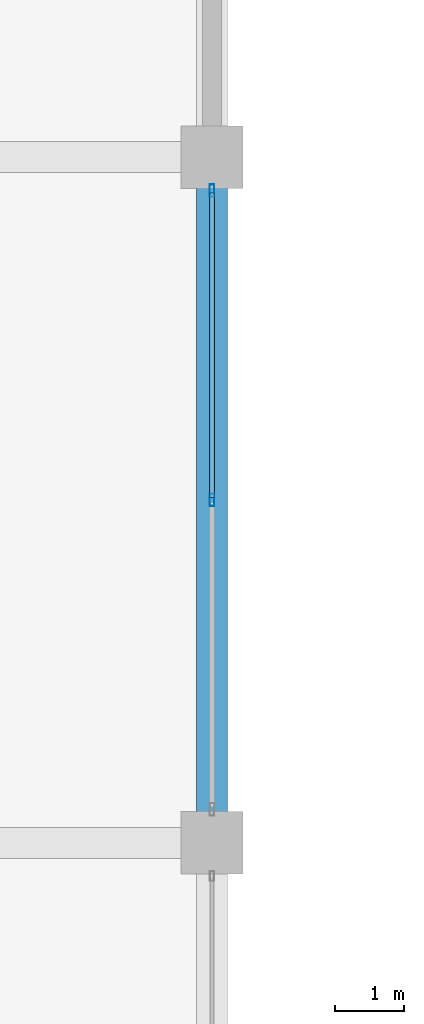
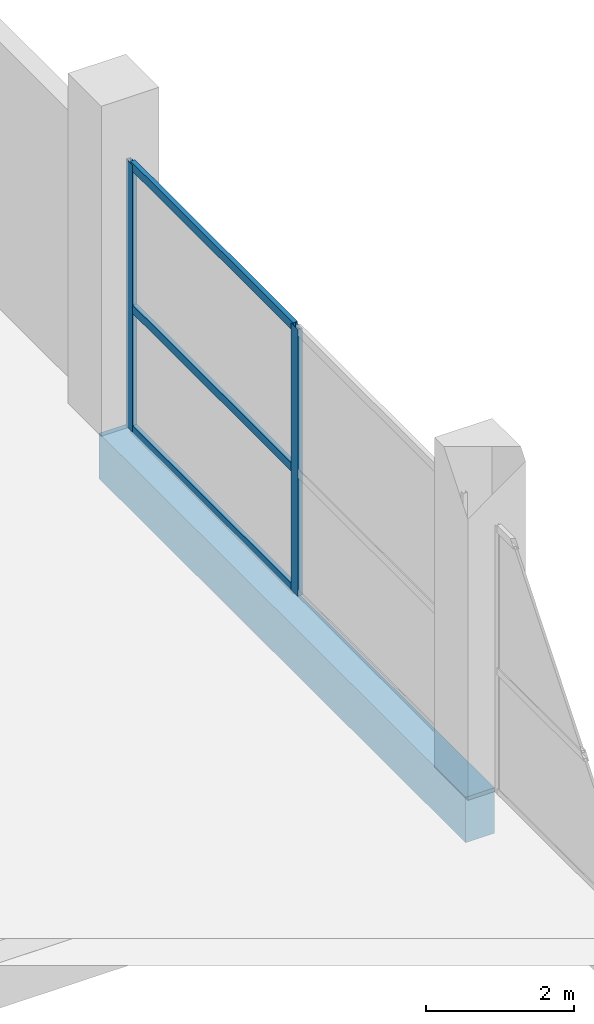
# One storey, part 16 of 50: 5 members, 1 beam, 1 element without a shape of its own.
"""IFC4 building model written with IfcOpenShell, lengths in metres."""

from ifc_helpers import new_model, si_unit, direction, frame, origin, origin_2d, place, context, subcontext, project, spatial, rectangle, hollow_rectangle, extrude, material, layer, layer_set, material_profile, profile_set, type_object, element, aggregate, save


model = new_model("IFC4")

# Units and contexts
model_context = context("Model", 3, precision=1e-05, world=origin(), true_north=direction((0.0, 1.0)))
body_context = subcontext(model_context, "Body", "Model", "MODEL_VIEW")
ifc_project = project(units=[si_unit("LENGTHUNIT", "METRE"), si_unit("AREAUNIT", "SQUARE_METRE"), si_unit("VOLUMEUNIT", "CUBIC_METRE"), si_unit("PLANEANGLEUNIT", "RADIAN"), si_unit("MASSUNIT", "GRAM", prefix="KILO")], contexts=[model_context])

# Site, building, storey
site_placement = place(None, origin())
site = spatial("IfcSite", under=ifc_project, at=site_placement, CompositionType="ELEMENT")
building_placement = place(site_placement, origin())
building = spatial("IfcBuilding", under=site, at=building_placement, Name="Sillaruma Civic Art Gallery", CompositionType="ELEMENT")
storey_placement = place(building_placement, origin())
storey = spatial("IfcBuildingStorey", under=building, at=storey_placement, Name="L00", CompositionType="ELEMENT", Elevation=0.0)

# Beam
ifc_material_1 = material(Name="Concrete H40 (40 MPa)", Category="concrete")
ifc_material_profile_1 = material_profile(ifc_material_1, rectangle(XDim=0.449951171875, YDim=0.75, at=origin_2d()), Name="RCB450x750")
ifc_profile_set_1 = profile_set([ifc_material_profile_1], Name="Concrete H40 (40 MPa)")
beam_type = type_object("IfcBeamType", Name="BM-BEAM-RCB450x750", PredefinedType="BEAM", material=ifc_profile_set_1)
beam_placement = place(storey_placement, frame((114.39990234375, 69.300048828125, -0.675048828125), z_axis=(0.0, 1.0, 0.0), x_axis=(-1.0, 0.0, 0.0)))
element("IfcBeam", 1, at=beam_placement, inside=storey, type_object=beam_type, Name="Beam BM-03 (B01:N:8-9)", PredefinedType="BEAM", context=body_context, shape_type="SweptSolid", body=[
    extrude(rectangle(XDim=0.449951171875, YDim=0.75, at=origin_2d()), origin(), (0.0, 0.0, 1.0), 9.89990234375),
])

# Curtain wall, members
ifc_material_2 = material(Name="Thermally Broken Extruded Aluminium 6063-T6", Category="aluminium")
ifc_layer = layer(ifc_material_2, 0.179931640625, Name="Thermally Broken Extruded Aluminium 6063-T6")
ifc_layer_set = layer_set([ifc_layer], Name="Thermally Broken Extruded Aluminium 6063-T6")
curtain_wall_type = type_object("IfcCurtainWallType", Name="CW-UNI-06", PredefinedType="NOTDEFINED", material=ifc_layer_set)
curtain_wall_placement = place(storey_placement, origin())
curtain_wall = element("IfcCurtainWall", 2, at=curtain_wall_placement, inside=storey, type_object=curtain_wall_type, Name="Unitised Curtain Wall CW-06 (CW-L00-SPE-6)", PredefinedType="NOTDEFINED")
ifc_material_profile_2 = material_profile(ifc_material_2, hollow_rectangle(XDim=0.070068359375, YDim=0.179931640625, WallThickness=0.00390625, at=origin_2d()), Name="CWM70x180")
ifc_profile_set_2 = profile_set([ifc_material_profile_2], Name="Thermally Broken Extruded Aluminium 6063-T6")
member_type_1 = type_object("IfcMemberType", Name="MEM-MUL-CWM70x180", PredefinedType="MULLION", material=ifc_profile_set_2)
member_1_placement = place(storey_placement, frame((114.39990234375, 74.25, 0.0), z_axis=(0.0, 0.0, 1.0), x_axis=(-1.0, 0.0, 0.0)))
member_1 = element("IfcMember", 3, at=member_1_placement, type_object=member_type_1, Name="CW-06 mullion 2", PredefinedType="MULLION", context=body_context, shape_type="SweptSolid", body=[
    extrude(hollow_rectangle(XDim=0.070068359375, YDim=0.179931640625, WallThickness=0.00390625, at=origin_2d()), origin(), (0.0, 0.0, 1.0), 4.39990234375),
])
member_2_placement = place(storey_placement, frame((114.39990234375, 78.715087890625, 0.0), z_axis=(0.0, 0.0, 1.0), x_axis=(-1.0, 0.0, 0.0)))
member_2 = element("IfcMember", 4, at=member_2_placement, type_object=member_type_1, Name="CW-06 mullion 3", PredefinedType="MULLION", context=body_context, shape_type="SweptSolid", body=[
    extrude(hollow_rectangle(XDim=0.070068359375, YDim=0.179931640625, WallThickness=0.00390625, at=origin_2d()), origin(), (0.0, 0.0, 1.0), 4.39990234375),
])
ifc_material_profile_3 = material_profile(ifc_material_2, hollow_rectangle(XDim=0.070068359375, YDim=0.139892578125, WallThickness=0.00390625, at=origin_2d()), Name="CWT70x140")
ifc_profile_set_3 = profile_set([ifc_material_profile_3], Name="Thermally Broken Extruded Aluminium 6063-T6")
member_type_2 = type_object("IfcMemberType", Name="MEM-TRN-CWT70x140", PredefinedType="USERDEFINED", material=ifc_profile_set_3)
member_3_placement = place(storey_placement, frame((114.39990234375, 74.284912109375, 0.034912109375), z_axis=(0.0, 1.0, 0.0), x_axis=(-1.0, 0.0, 0.0)))
member_3 = element("IfcMember", 5, at=member_3_placement, type_object=member_type_2, Name="CW-06 transom 2.1", ObjectType="TRANSOM", PredefinedType="USERDEFINED", context=body_context, shape_type="SweptSolid", body=[
    extrude(hollow_rectangle(XDim=0.070068359375, YDim=0.139892578125, WallThickness=0.00390625, at=origin_2d()), origin(), (0.0, 0.0, 1.0), 4.39501953125),
])
member_4_placement = place(storey_placement, frame((114.39990234375, 74.284912109375, 2.02392578125), z_axis=(0.0, 1.0, 0.0), x_axis=(-1.0, 0.0, 0.0)))
member_4 = element("IfcMember", 6, at=member_4_placement, type_object=member_type_2, Name="CW-06 transom 2.2", ObjectType="TRANSOM", PredefinedType="USERDEFINED", context=body_context, shape_type="SweptSolid", body=[
    extrude(hollow_rectangle(XDim=0.070068359375, YDim=0.139892578125, WallThickness=0.00390625, at=origin_2d()), origin(), (0.0, 0.0, 1.0), 4.39501953125),
])
member_5_placement = place(storey_placement, frame((114.39990234375, 74.284912109375, 4.364990234375), z_axis=(0.0, 1.0, 0.0), x_axis=(-1.0, 0.0, 0.0)))
member_5 = element("IfcMember", 7, at=member_5_placement, type_object=member_type_2, Name="CW-06 transom 2.3", ObjectType="TRANSOM", PredefinedType="USERDEFINED", context=body_context, shape_type="SweptSolid", body=[
    extrude(hollow_rectangle(XDim=0.070068359375, YDim=0.139892578125, WallThickness=0.00390625, at=origin_2d()), origin(), (0.0, 0.0, 1.0), 4.39501953125),
])
aggregate(curtain_wall, [member_1, member_2, member_3, member_4, member_5])

save(model, "model.ifc")
